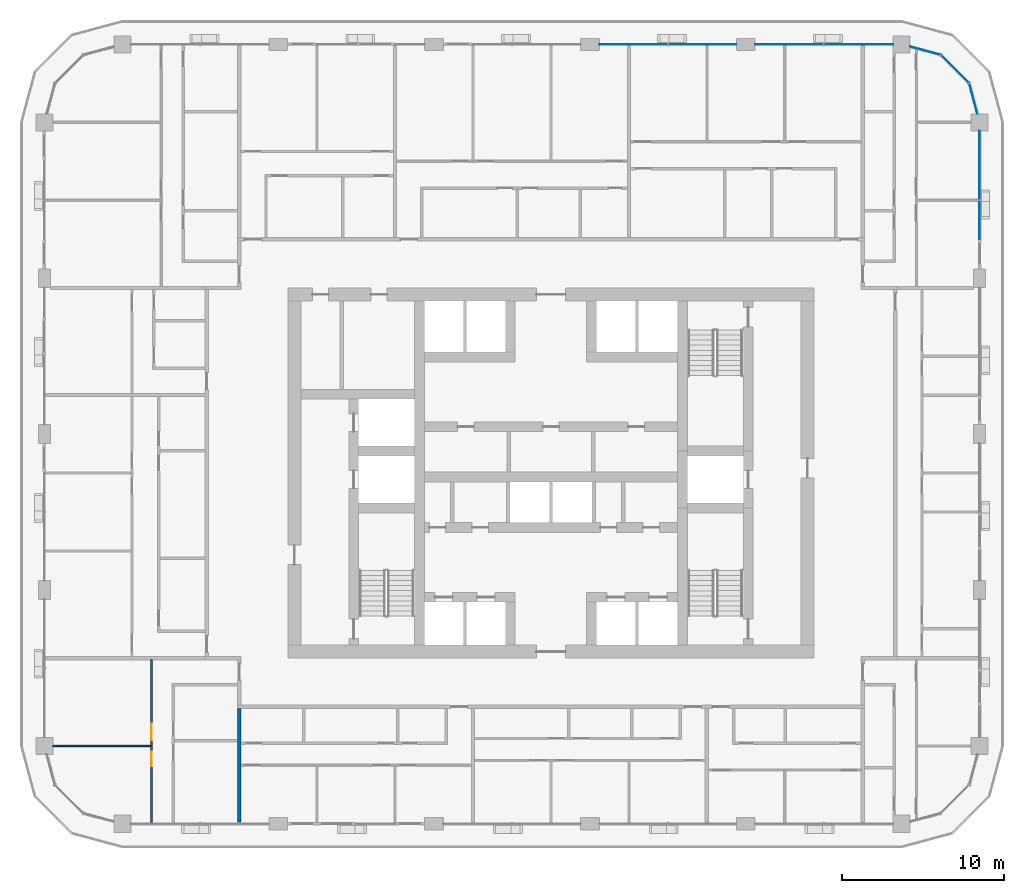
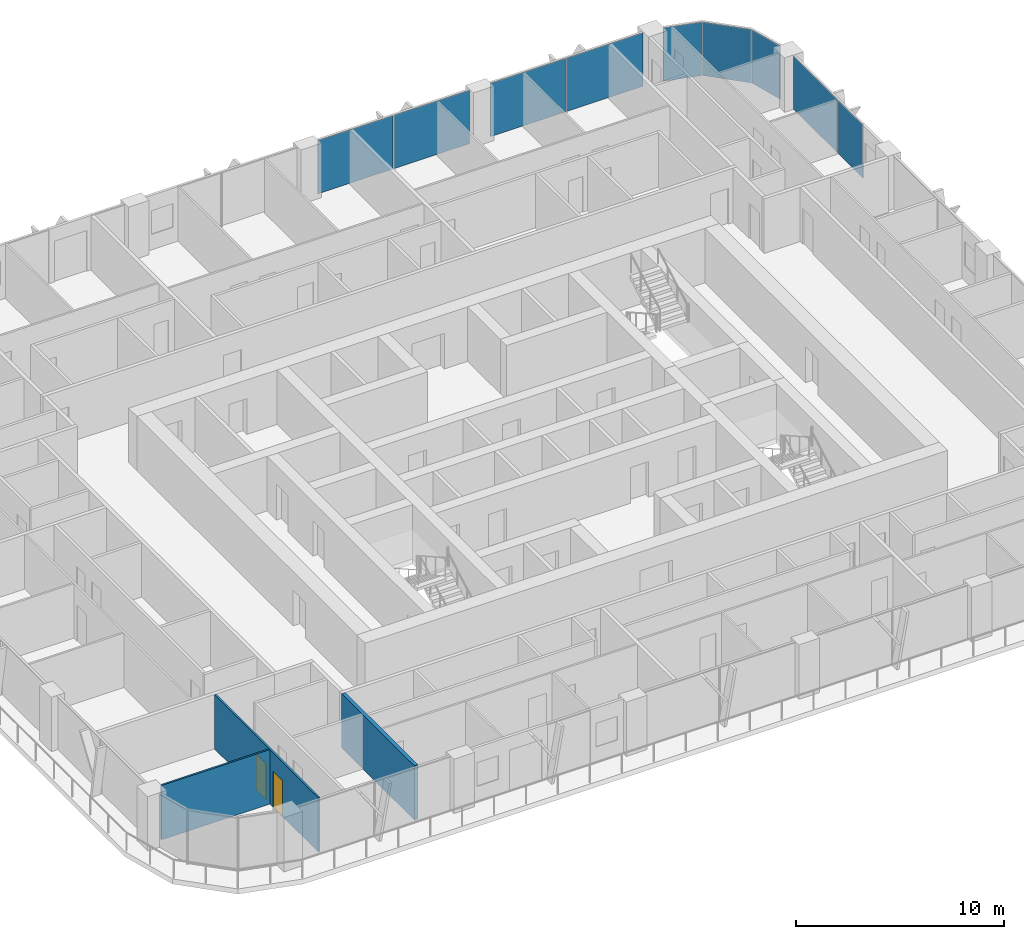
# One storey, part 8 of 23: 9 plates, 3 walls, 2 doors, 2 openings, 4 elements without a shape of their own.
"""IFC4 building model written with IfcOpenShell, lengths in metres."""

from ifc_helpers import new_model, si_unit, direction, frame, frame_2d, origin, origin_2d, place, context, subcontext, project, spatial, rectangle, extrude, material, layer, layer_set, type_object, element, fill, aggregate, save


model = new_model("IFC4")

# Units and contexts
model_context = context("Model", 3, precision=1e-05, world=origin(), true_north=direction((0.0, 1.0)))
body_context = subcontext(model_context, "Body", "Model", "MODEL_VIEW")
ifc_project = project(units=[si_unit("LENGTHUNIT", "METRE"), si_unit("AREAUNIT", "SQUARE_METRE"), si_unit("VOLUMEUNIT", "CUBIC_METRE"), si_unit("PLANEANGLEUNIT", "RADIAN"), si_unit("MASSUNIT", "GRAM", prefix="KILO")], contexts=[model_context])

# Site, building, storey
site_placement = place(None, origin())
site = spatial("IfcSite", under=ifc_project, at=site_placement, CompositionType="ELEMENT")
building_placement = place(site_placement, origin())
building = spatial("IfcBuilding", under=site, at=building_placement, Name="Madar Terraces", CompositionType="ELEMENT")
storey_placement = place(building_placement, frame((0.0, 0.0, 133.10009765625)))
storey = spatial("IfcBuildingStorey", under=building, at=storey_placement, Name="L34", CompositionType="ELEMENT", Elevation=133.10009765625)

# Curtain wall, plates
ifc_material_1 = material(Name="Glass, ceramic frit dark grey, with black aluminium frame", Category="aluminium")
ifc_layer_1 = layer(ifc_material_1, 0.199951171875)
ifc_layer_set_1 = layer_set([ifc_layer_1], Name="Facade curtain wall, fritted glass")
curtain_wall_type = type_object("IfcCurtainWallType", Name="Facade curtain wall, fritted glass", PredefinedType="NOTDEFINED", material=ifc_layer_set_1)
curtain_wall_1_placement = place(storey_placement, origin())
curtain_wall_1 = element("IfcCurtainWall", 1, at=curtain_wall_1_placement, inside=storey, type_object=curtain_wall_type, Name="Outer skin curtain wall east bay 4", PredefinedType="NOTDEFINED")
ifc_material_2 = material(Name="Glass, ceramic frit dark grey", Category="glass")
ifc_layer_2 = layer(ifc_material_2, 0.028076171875)
ifc_layer_set_2 = layer_set([ifc_layer_2], Name="Facade glass panel 28")
plate_type = type_object("IfcPlateType", Name="Facade glass panel 28", PredefinedType="CURTAIN_PANEL", material=ifc_layer_set_2)
plate_1_placement = place(storey_placement, frame((57.60009765625, 41.985107421875, 0.0), z_axis=(0.0, 0.0, 1.0), x_axis=(0.0, 1.0, 0.0)))
plate_1 = element("IfcPlate", 2, at=plate_1_placement, type_object=plate_type, Name="Panel 1", PredefinedType="CURTAIN_PANEL", context=body_context, shape_type="SweptSolid", body=[
    extrude(rectangle(XDim=2.3701171875, YDim=0.028076171875, at=origin_2d()), origin(), (0.0, 0.0, 1.0), 3.139892578125),
])
plate_2_placement = place(storey_placement, frame((57.60009765625, 45.3525390625, 0.0), z_axis=(0.0, 0.0, 1.0), x_axis=(0.0, 1.0, 0.0)))
plate_2 = element("IfcPlate", 3, at=plate_2_placement, type_object=plate_type, Name="Panel 2", PredefinedType="CURTAIN_PANEL", context=body_context, shape_type="SweptSolid", body=[
    extrude(rectangle(XDim=4.2451171875, YDim=0.028076171875, at=origin_2d()), origin(), (0.0, 0.0, 1.0), 3.139892578125),
])
aggregate(curtain_wall_1, [plate_1, plate_2])

curtain_wall_2_placement = place(storey_placement, origin())
curtain_wall_2 = element("IfcCurtainWall", 4, at=curtain_wall_2_placement, inside=storey, type_object=curtain_wall_type, Name="Outer skin curtain wall north bay 1", PredefinedType="NOTDEFINED")
plate_3_placement = place(storey_placement, frame((50.152587890625, 52.800048828125, 0.0), z_axis=(0.0, 0.0, 1.0), x_axis=(-1.0, 0.0, 0.0)))
plate_3 = element("IfcPlate", 5, at=plate_3_placement, type_object=plate_type, Name="Panel 1", PredefinedType="CURTAIN_PANEL", context=body_context, shape_type="SweptSolid", body=[
    extrude(rectangle(XDim=4.2451171875, YDim=0.028076171875, at=origin_2d()), origin(), (0.0, 0.0, 1.0), 3.139892578125),
])
plate_4_placement = place(storey_placement, frame((45.87255859375, 52.800048828125, 0.0), z_axis=(0.0, 0.0, 1.0), x_axis=(-1.0, 0.0, 0.0)))
plate_4 = element("IfcPlate", 6, at=plate_4_placement, type_object=plate_type, Name="Panel 2", PredefinedType="CURTAIN_PANEL", context=body_context, shape_type="SweptSolid", body=[
    extrude(rectangle(XDim=4.195068359375, YDim=0.028076171875, at=origin_2d()), origin(), (0.0, 0.0, 1.0), 3.139892578125),
])
aggregate(curtain_wall_2, [plate_3, plate_4])

curtain_wall_3_placement = place(storey_placement, origin())
curtain_wall_3 = element("IfcCurtainWall", 7, at=curtain_wall_3_placement, inside=storey, type_object=curtain_wall_type, Name="Outer skin curtain wall north bay 2", PredefinedType="NOTDEFINED")
plate_5_placement = place(storey_placement, frame((40.527587890625, 52.800048828125, 0.0), z_axis=(0.0, 0.0, 1.0), x_axis=(-1.0, 0.0, 0.0)))
plate_5 = element("IfcPlate", 8, at=plate_5_placement, type_object=plate_type, Name="Panel 1", PredefinedType="CURTAIN_PANEL", context=body_context, shape_type="SweptSolid", body=[
    extrude(rectangle(XDim=4.195068359375, YDim=0.028076171875, at=origin_2d()), origin(), (0.0, 0.0, 1.0), 3.139892578125),
])
plate_6_placement = place(storey_placement, frame((36.2724609375, 52.800048828125, 0.0), z_axis=(0.0, 0.0, 1.0), x_axis=(-1.0, 0.0, 0.0)))
plate_6 = element("IfcPlate", 9, at=plate_6_placement, type_object=plate_type, Name="Panel 2", PredefinedType="CURTAIN_PANEL", context=body_context, shape_type="SweptSolid", body=[
    extrude(rectangle(XDim=4.195068359375, YDim=0.028076171875, at=origin_2d()), origin(), (0.0, 0.0, 1.0), 3.139892578125),
])
aggregate(curtain_wall_3, [plate_5, plate_6])

curtain_wall_4_placement = place(storey_placement, origin())
curtain_wall_4 = element("IfcCurtainWall", 10, at=curtain_wall_4_placement, inside=storey, type_object=curtain_wall_type, Name="Outer skin curtain wall north-east corner", PredefinedType="NOTDEFINED")
plate_7_placement = place(storey_placement, frame((57.2119140625, 49.447998046875, 0.0), z_axis=(0.0, 0.0, 1.0), x_axis=(-0.258819021888, 0.965925832509, 0.0)))
plate_7 = element("IfcPlate", 11, at=plate_7_placement, type_object=plate_type, Name="Panel 1", PredefinedType="CURTAIN_PANEL", context=body_context, shape_type="SweptSolid", body=[
    extrude(rectangle(XDim=1.9111328125, YDim=0.028076171875, at=origin_2d()), origin(), (0.0, 0.0, 1.0), 3.139892578125),
])
plate_8_placement = place(storey_placement, frame((56.078369140625, 51.278564453125, 0.0), z_axis=(0.0, 0.0, 1.0), x_axis=(-0.707106781187, 0.707106781187, 0.0)))
plate_8 = element("IfcPlate", 12, at=plate_8_placement, type_object=plate_type, Name="Panel 2", PredefinedType="CURTAIN_PANEL", context=body_context, shape_type="SweptSolid", body=[
    extrude(rectangle(XDim=2.424560546875, YDim=0.028076171875, at=origin_2d()), origin(), (0.0, 0.0, 1.0), 3.139892578125),
])
plate_9_placement = place(storey_placement, frame((54.248046875, 52.412109375, 0.0), z_axis=(0.0, 0.0, 1.0), x_axis=(-0.965925832509, 0.258819021888, 0.0)))
plate_9 = element("IfcPlate", 13, at=plate_9_placement, type_object=plate_type, Name="Panel 3", PredefinedType="CURTAIN_PANEL", context=body_context, shape_type="SweptSolid", body=[
    extrude(rectangle(XDim=1.9111328125, YDim=0.028076171875, at=origin_2d()), origin(), (0.0, 0.0, 1.0), 3.139892578125),
])
aggregate(curtain_wall_4, [plate_7, plate_8, plate_9])

# Wall
ifc_material_3 = material(Name="Gypsum board on steel studs", Category="steel")
ifc_layer_3 = layer(ifc_material_3, 0.10009765625)
ifc_layer_set_3 = layer_set([ifc_layer_3], Name="Flat partition 100")
wall_type_1 = type_object("IfcWallType", Name="Flat partition 100", PredefinedType="PARTITIONING", material=ifc_layer_set_3)
wall_1_placement = place(storey_placement, frame((6.550048828125, 9.60009765625, 0.0), z_axis=(0.0, 0.0, 1.0), x_axis=(-1.0, 0.0, 0.0)))
element("IfcWall", 14, at=wall_1_placement, inside=storey, type_object=wall_type_1, Name="Flat partition 100", PredefinedType="PARTITIONING", context=body_context, shape_type="SweptSolid", body=[
    extrude(rectangle(XDim=6.025146484375, YDim=0.10009765625, at=frame_2d((3.0126953125, 0.0))), origin(), (0.0, 0.0, 1.0), 3.199951171875),
])

# Wall, openings, doors
wall_2_placement = place(storey_placement, frame((6.60009765625, 4.89990234375, 0.0), z_axis=(0.0, 0.0, 1.0), x_axis=(0.0, 1.0, 0.0)))
wall_2 = element("IfcWall", 15, at=wall_2_placement, inside=storey, type_object=wall_type_1, Name="Flat partition 100", PredefinedType="PARTITIONING", context=body_context, shape_type="SweptSolid", body=[
    extrude(rectangle(XDim=10.0, YDim=0.10009765625, at=frame_2d((5.0, 0.0))), origin(), (0.0, 0.0, 1.0), 3.199951171875),
])
opening_1_placement = place(wall_2_placement, frame((5.050048828125, 0.0, 0.0)))
opening_1 = element("IfcOpeningElement", 16, at=opening_1_placement, cuts=wall_2, Name="Opening D3", PredefinedType="OPENING", context=body_context, shape_type="SweptSolid", body=[
    extrude(rectangle(XDim=1.0, YDim=2.10009765625, at=frame_2d((0.5, 1.050048828125))), frame((0.0, 0.06005859375, 0.0), z_axis=(0.0, -1.0, 0.0), x_axis=(1.0, 0.0, 0.0)), (0.0, 0.0, 1.0), 0.1201171875),
])
opening_2_placement = place(wall_2_placement, frame((3.449951171875, 0.0, 0.0)))
opening_2 = element("IfcOpeningElement", 17, at=opening_2_placement, cuts=wall_2, Name="Opening D2", PredefinedType="OPENING", context=body_context, shape_type="SweptSolid", body=[
    extrude(rectangle(XDim=0.89990234375, YDim=2.10009765625, at=frame_2d((0.449951171875, 1.050048828125))), frame((0.0, 0.06005859375, 0.0), z_axis=(0.0, -1.0, 0.0), x_axis=(1.0, 0.0, 0.0)), (0.0, 0.0, 1.0), 0.1201171875),
])
ifc_material_4 = material(Name="Timber door leaf", Category="wood")
door_type_1 = type_object("IfcDoorType", Name="Flat living room door 1000", OperationType="NOTDEFINED", PredefinedType="DOOR", material=ifc_material_4)
door_1_placement = place(opening_1_placement, origin())
door_1 = element("IfcDoor", 18, at=door_1_placement, inside=storey, type_object=door_type_1, Name="Flat living room door 1000", OperationType="SINGLE_SWING_LEFT", OverallHeight=2.10009765625, OverallWidth=1.0, PredefinedType="DOOR", context=body_context, shape_type="SweptSolid", body=[
    extrude(rectangle(XDim=1.0, YDim=2.10009765625, at=frame_2d((0.5, 1.050048828125))), frame((0.0, 0.02490234375, 0.0), z_axis=(0.0, -1.0, 0.0), x_axis=(1.0, 0.0, 0.0)), (0.0, 0.0, 1.0), 0.050048828125),
])
fill(opening_1, door_1)
ifc_material_5 = material(Name="Timber door leaf", Category="wood")
door_type_2 = type_object("IfcDoorType", Name="Flat room door 900", OperationType="NOTDEFINED", PredefinedType="DOOR", material=ifc_material_5)
door_2_placement = place(opening_2_placement, origin())
door_2 = element("IfcDoor", 19, at=door_2_placement, inside=storey, type_object=door_type_2, Name="Flat room door 900", OperationType="SINGLE_SWING_RIGHT", OverallHeight=2.10009765625, OverallWidth=0.89990234375, PredefinedType="DOOR", context=body_context, shape_type="SweptSolid", body=[
    extrude(rectangle(XDim=0.89990234375, YDim=2.10009765625, at=frame_2d((0.449951171875, 1.050048828125))), frame((0.0, 0.02490234375, 0.0), z_axis=(0.0, -1.0, 0.0), x_axis=(1.0, 0.0, 0.0)), (0.0, 0.0, 1.0), 0.050048828125),
])
fill(opening_2, door_2)

# Wall
ifc_material_6 = material(Name="Lightweight blockwork", Category="masonry")
ifc_layer_4 = layer(ifc_material_6, 0.199951171875)
ifc_layer_set_4 = layer_set([ifc_layer_4], Name="Flat party and entrance wall 200")
wall_type_2 = type_object("IfcWallType", Name="Flat party and entrance wall 200", PredefinedType="PARTITIONING", material=ifc_layer_set_4)
wall_3_placement = place(storey_placement, frame((12.0, 4.89990234375, 0.0), z_axis=(0.0, 0.0, 1.0), x_axis=(0.0, 1.0, 0.0)))
element("IfcWall", 20, at=wall_3_placement, inside=storey, type_object=wall_type_2, Name="Flat party and entrance wall 200", PredefinedType="PARTITIONING", context=body_context, shape_type="SweptSolid", body=[
    extrude(rectangle(XDim=7.0, YDim=0.199951171875, at=frame_2d((3.5, 0.0))), origin(), (0.0, 0.0, 1.0), 3.199951171875),
])

save(model, "model.ifc")
